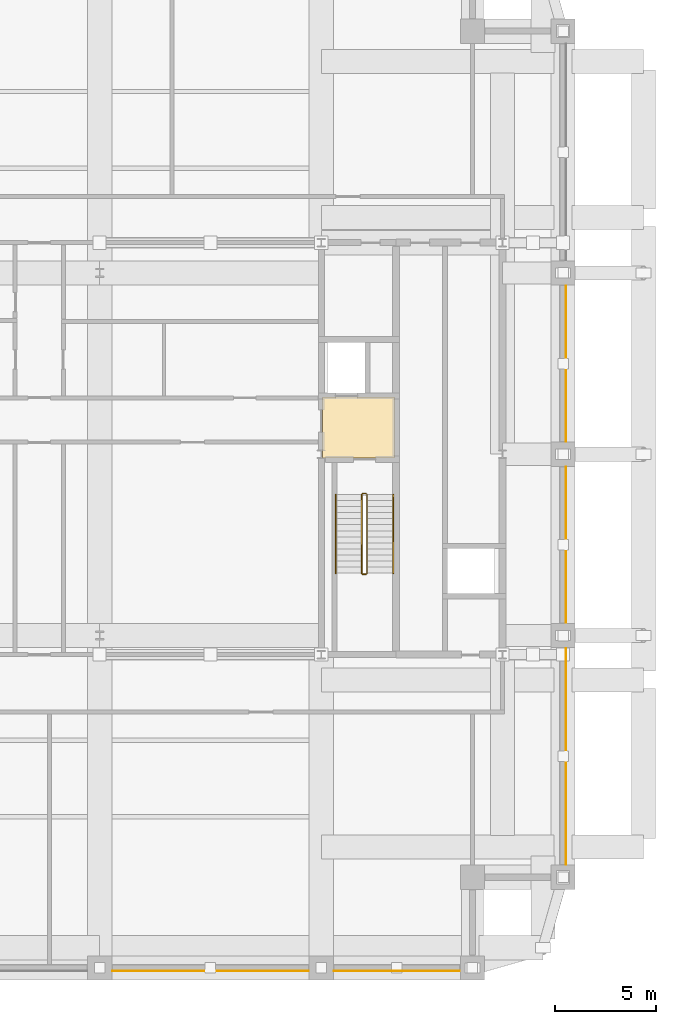
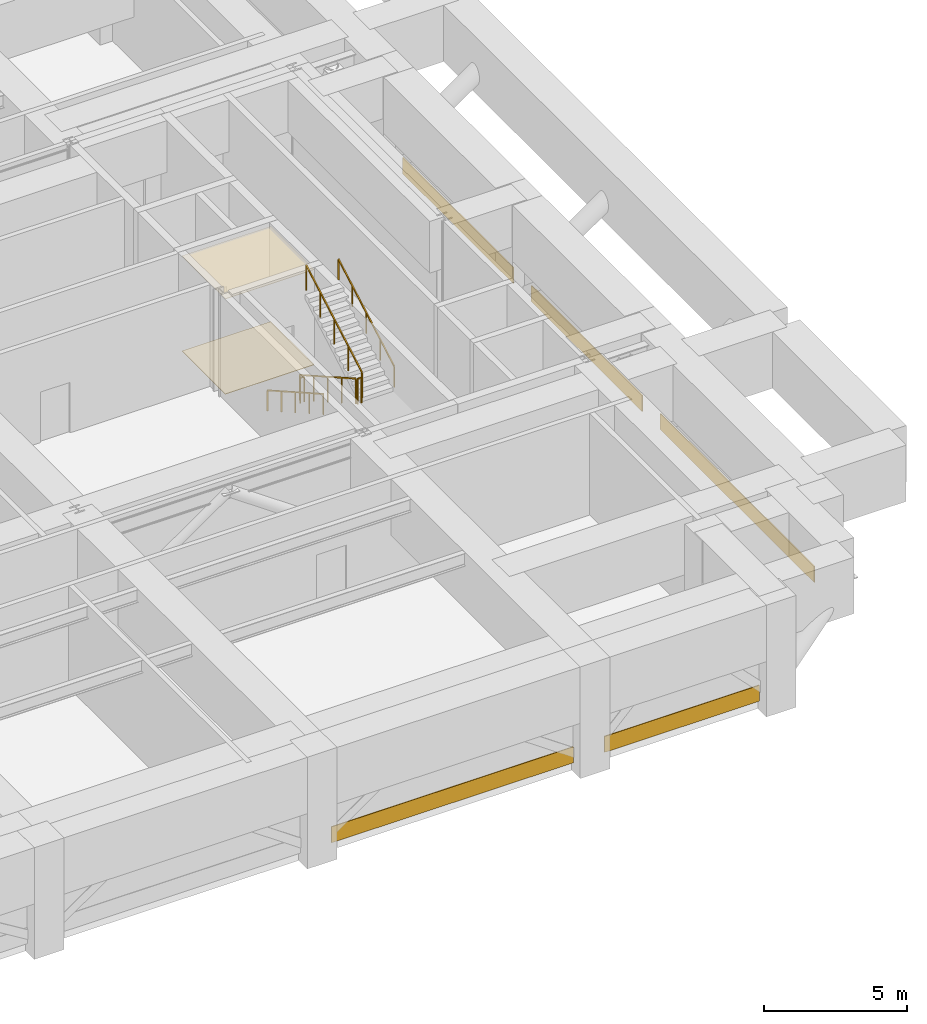
# One storey, part 9 of 10: 7 coverings, 6 railings.
"""IFC4 building model written with IfcOpenShell, lengths in metres."""

from ifc_helpers import new_model, si_unit, direction, frame, frame_2d, origin, origin_2d, place, context, subcontext, project, spatial, polyline, rectangle, outline, extrude, material, layer, layer_set, type_object, element, save


model = new_model("IFC4")

# Units and contexts
model_context = context("Model", 3, precision=1e-05, world=origin(), true_north=direction((0.0, 1.0)))
body_context = subcontext(model_context, "Body", "Model", "MODEL_VIEW")
ifc_project = project(units=[si_unit("LENGTHUNIT", "METRE"), si_unit("AREAUNIT", "SQUARE_METRE"), si_unit("VOLUMEUNIT", "CUBIC_METRE"), si_unit("PLANEANGLEUNIT", "RADIAN"), si_unit("MASSUNIT", "GRAM", prefix="KILO")], contexts=[model_context])

# Site, building, storey
site_placement = place(None, origin())
site = spatial("IfcSite", under=ifc_project, at=site_placement, CompositionType="ELEMENT")
building_placement = place(site_placement, origin())
building = spatial("IfcBuilding", under=site, at=building_placement, Name="Zulmaris Gate Convention Tower", CompositionType="ELEMENT")
storey_placement = place(building_placement, frame((0.0, 0.0, 153.47998046875)))
storey = spatial("IfcBuildingStorey", under=building, at=storey_placement, Name="L39", CompositionType="ELEMENT", Elevation=153.47998046875)

# Coverings
ifc_material_1 = material(Name="Precast concrete C40/50", Category="concrete")
ifc_layer_1 = layer(ifc_material_1, 0.0400390625, Name="Precast concrete C40/50")
ifc_layer_set_1 = layer_set([ifc_layer_1], Name="Precast concrete C40/50")
covering_type_1 = type_object("IfcCoveringType", Name="CLAD-SPANDREL-PRECAST", PredefinedType="CLADDING", material=ifc_layer_set_1)
covering_1_placement = place(storey_placement, frame((0.6298828125, -25.64990234375, 0.0), z_axis=(0.0, 0.0, 1.0), x_axis=(1.0, 0.0, 0.0)))
element("IfcCovering", 1, at=covering_1_placement, inside=storey, type_object=covering_type_1, Name="CLD-L39-S-2_0", PredefinedType="CLADDING", context=body_context, shape_type="SweptSolid", body=[
    extrude(rectangle(XDim=9.740234375, YDim=0.0400390625, at=frame_2d((4.8701171875, 0.0))), origin(), (0.0, 0.0, 1.0), 0.679931640625),
])
covering_2_placement = place(storey_placement, frame((11.6298828125, -25.64990234375, 0.0), z_axis=(0.0, 0.0, 1.0), x_axis=(1.0, 0.0, 0.0)))
element("IfcCovering", 2, at=covering_2_placement, inside=storey, type_object=covering_type_1, Name="CLD-L39-S-3_0", PredefinedType="CLADDING", context=body_context, shape_type="SweptSolid", body=[
    extrude(rectangle(XDim=6.240234375, YDim=0.0400390625, at=frame_2d((3.1201171875, 0.0))), origin(), (0.0, 0.0, 1.0), 0.679931640625),
])
covering_3_placement = place(storey_placement, frame((23.14990234375, -20.3701171875, 0.0), z_axis=(0.0, 0.0, 1.0), x_axis=(0.0, 1.0, 0.0)))
element("IfcCovering", 3, at=covering_3_placement, inside=storey, type_object=covering_type_1, Name="CLD-L39-E-0_0", PredefinedType="CLADDING", context=body_context, shape_type="SweptSolid", body=[
    extrude(rectangle(XDim=10.740234375, YDim=0.0400390625, at=frame_2d((5.3701171875, 0.0))), origin(), (0.0, 0.0, 1.0), 0.679931640625),
])
for number, where, z_axis, x_axis, name in (
    (4, (23.14990234375, -8.3701171875, 0.0), (0.0, 0.0, 1.0), (0.0, 1.0, 0.0), "CLD-L39-E-1_0"),
    (5, (23.14990234375, 0.6298828125, 0.0), (0.0, 0.0, 1.0), (0.0, 1.0, 0.0), "CLD-L39-E-2_0"),
):
    element("IfcCovering", number, at=place(storey_placement, frame(where, z_axis=z_axis, x_axis=x_axis)), inside=storey, type_object=covering_type_1, Name=name, PredefinedType="CLADDING", context=body_context, shape_type="SweptSolid", body=[
        extrude(rectangle(XDim=7.740234375, YDim=0.0400390625, at=frame_2d((3.8701171875, 0.0))), origin(), (0.0, 0.0, 1.0), 0.679931640625),
    ])
ifc_material_2 = material(Name="Mineral Fibre Acoustic Ceiling Tile")
ifc_layer_2 = layer(ifc_material_2, 0.02001953125, Name="Mineral Fibre Acoustic Ceiling Tile")
ifc_layer_set_2 = layer_set([ifc_layer_2], Name="Mineral Fibre Acoustic Ceiling Tile")
covering_type_2 = type_object("IfcCoveringType", Name="CLG-ACOUSTIC-600", PredefinedType="CEILING", material=ifc_layer_set_2)
covering_4_placement = place(storey_placement, frame((0.0, 0.0, 4.0546875)))
element("IfcCovering", 6, at=covering_4_placement, inside=storey, type_object=covering_type_2, Name="CLG-L39-R08", PredefinedType="CEILING", context=body_context, shape_type="SweptSolid", body=[
    extrude(outline(polyline([(11.06005859375, -0.18994140625), (14.639892578125, -0.18994140625), (14.639892578125, 2.840087890625), (11.06005859375, 2.840087890625), (11.06005859375, -0.18994140625)])), origin(), (0.0, 0.0, 1.0), 0.02001953125),
])
ifc_material_3 = material(Name="Woven Acoustic Wool Carpet Tile")
ifc_layer_3 = layer(ifc_material_3, 0.02001953125, Name="Woven Acoustic Wool Carpet Tile")
ifc_layer_set_3 = layer_set([ifc_layer_3], Name="Woven Acoustic Wool Carpet Tile")
covering_type_3 = type_object("IfcCoveringType", Name="FLR-CARPET-12", PredefinedType="FLOORING", material=ifc_layer_set_3)
covering_5_placement = place(storey_placement, origin())
element("IfcCovering", 7, at=covering_5_placement, inside=storey, type_object=covering_type_3, Name="FLR-L39-R08", PredefinedType="FLOORING", context=body_context, shape_type="SweptSolid", body=[
    extrude(outline(polyline([(11.06005859375, -0.18994140625), (14.639892578125, -0.18994140625), (14.639892578125, 2.840087890625), (11.06005859375, 2.840087890625), (11.06005859375, -0.18994140625)])), origin(), (0.0, 0.0, 1.0), 0.02001953125),
])

# Railings
ifc_material_4 = material(Name="Painted Galvanised Steel", Category="steel")
railing_type_1 = type_object("IfcRailingType", Name="RL-STG-1150", PredefinedType="GUARDRAIL", material=ifc_material_4)
railing_1_placement = place(storey_placement, frame((13.010009765625, -2.0, 0.169921875)))
element("IfcRailing", 8, at=railing_1_placement, inside=storey, type_object=railing_type_1, Name="L39 ST-2 stair guard 1", PredefinedType="GUARDRAIL", context=body_context, shape_type="SweptSolid", body=[
    extrude(rectangle(XDim=0.048095703125, YDim=0.048095703125, at=origin_2d()), frame((0.0, 0.0, 1.076171875), z_axis=(0.0, -0.870020628399, 0.493015320412), x_axis=(1.0, 0.0, 0.0)), (0.0, 0.0, 1.0), 4.482421875),
    extrude(rectangle(XDim=0.0419921875, YDim=0.0419921875, at=origin_2d()), origin(), (0.0, 0.0, 1.0), 1.052001953125),
    extrude(rectangle(XDim=0.0419921875, YDim=0.0419921875, at=origin_2d()), frame((0.0, -0.97509765625, 0.552490234375)), (0.0, 0.0, 1.0), 1.052001953125),
    extrude(rectangle(XDim=0.0419921875, YDim=0.0419921875, at=origin_2d()), frame((0.0, -1.949951171875, 1.10498046875)), (0.0, 0.0, 1.0), 1.052001953125),
    extrude(rectangle(XDim=0.0419921875, YDim=0.0419921875, at=origin_2d()), frame((0.0, -2.9248046875, 1.657470703125)), (0.0, 0.0, 1.0), 1.052001953125),
    extrude(rectangle(XDim=0.0419921875, YDim=0.0419921875, at=origin_2d()), frame((0.0, -3.89990234375, 2.2099609375)), (0.0, 0.0, 1.0), 1.052001953125),
])
railing_2_placement = place(storey_placement, frame((13.06005859375, -5.949951171875, 2.3798828125)))
element("IfcRailing", 9, at=railing_2_placement, inside=storey, type_object=railing_type_1, Name="L39 ST-2 stair guard 2", PredefinedType="GUARDRAIL", context=body_context, shape_type="SweptSolid", body=[
    extrude(rectangle(XDim=0.048095703125, YDim=0.048095703125, at=origin_2d()), frame((0.0, 0.0, 1.076171875), z_axis=(1.0, 0.0, 0.0), x_axis=(0.0, 1.0, 0.0)), (0.0, 0.0, 1.0), 0.159912109375),
    extrude(rectangle(XDim=0.0419921875, YDim=0.0419921875, at=origin_2d()), origin(), (0.0, 0.0, 1.0), 1.052001953125),
    extrude(rectangle(XDim=0.0419921875, YDim=0.0419921875, at=origin_2d()), frame((0.159912109375, 0.0, 0.0)), (0.0, 0.0, 1.0), 1.052001953125),
])
railing_3_placement = place(storey_placement, frame((13.27001953125, -5.89990234375, 2.5498046875)))
element("IfcRailing", 10, at=railing_3_placement, inside=storey, type_object=railing_type_1, Name="L39 ST-2 stair guard 3", PredefinedType="GUARDRAIL", context=body_context, shape_type="SweptSolid", body=[
    extrude(rectangle(XDim=0.048095703125, YDim=0.048095703125, at=origin_2d()), frame((0.0, 0.0, 1.076171875), z_axis=(0.0, 0.870020628399, 0.493015320412), x_axis=(-1.0, 0.0, 0.0)), (0.0, 0.0, 1.0), 4.482421875),
    extrude(rectangle(XDim=0.0419921875, YDim=0.0419921875, at=origin_2d()), origin(), (0.0, 0.0, 1.0), 1.052001953125),
    extrude(rectangle(XDim=0.0419921875, YDim=0.0419921875, at=origin_2d()), frame((0.0, 0.97509765625, 0.552490234375)), (0.0, 0.0, 1.0), 1.052001953125),
    extrude(rectangle(XDim=0.0419921875, YDim=0.0419921875, at=origin_2d()), frame((0.0, 1.949951171875, 1.10498046875)), (0.0, 0.0, 1.0), 1.052001953125),
    extrude(rectangle(XDim=0.0419921875, YDim=0.0419921875, at=origin_2d()), frame((0.0, 2.9248046875, 1.657470703125)), (0.0, 0.0, 1.0), 1.052001953125),
    extrude(rectangle(XDim=0.0419921875, YDim=0.0419921875, at=origin_2d()), frame((0.0, 3.89990234375, 2.2099609375)), (0.0, 0.0, 1.0), 1.052001953125),
])
railing_4_placement = place(storey_placement, frame((13.06005859375, -1.949951171875, 0.0)))
element("IfcRailing", 11, at=railing_4_placement, inside=storey, type_object=railing_type_1, Name="L39 ST-2 stair guard 4", PredefinedType="GUARDRAIL", context=body_context, shape_type="SweptSolid", body=[
    extrude(rectangle(XDim=0.048095703125, YDim=0.048095703125, at=origin_2d()), frame((0.0, 0.0, 1.076171875), z_axis=(1.0, 0.0, 0.0), x_axis=(0.0, 1.0, 0.0)), (0.0, 0.0, 1.0), 0.159912109375),
    extrude(rectangle(XDim=0.0419921875, YDim=0.0419921875, at=origin_2d()), origin(), (0.0, 0.0, 1.0), 1.052001953125),
    extrude(rectangle(XDim=0.0419921875, YDim=0.0419921875, at=origin_2d()), frame((0.159912109375, 0.0, 0.0)), (0.0, 0.0, 1.0), 1.052001953125),
])
ifc_material_5 = material(Name="Brushed Stainless Steel", Category="steel")
railing_type_2 = type_object("IfcRailingType", Name="RL-STH-900", PredefinedType="HANDRAIL", material=ifc_material_5)
railing_5_placement = place(storey_placement, frame((11.7099609375, -2.0, 0.169921875)))
element("IfcRailing", 12, at=railing_5_placement, inside=storey, type_object=railing_type_2, Name="L39 ST-2 stair handrail 1", PredefinedType="HANDRAIL", context=body_context, shape_type="SweptSolid", body=[
    extrude(rectangle(XDim=0.048095703125, YDim=0.048095703125, at=origin_2d()), frame((0.0, 0.0, 0.8759765625), z_axis=(0.0, -0.870020628399, 0.493015320412), x_axis=(1.0, 0.0, 0.0)), (0.0, 0.0, 1.0), 4.482421875),
    extrude(rectangle(XDim=0.0419921875, YDim=0.0419921875, at=origin_2d()), origin(), (0.0, 0.0, 1.0), 0.851806640625),
    extrude(rectangle(XDim=0.0419921875, YDim=0.0419921875, at=origin_2d()), frame((0.0, -0.97509765625, 0.552490234375)), (0.0, 0.0, 1.0), 0.851806640625),
    extrude(rectangle(XDim=0.0419921875, YDim=0.0419921875, at=origin_2d()), frame((0.0, -1.949951171875, 1.10498046875)), (0.0, 0.0, 1.0), 0.851806640625),
    extrude(rectangle(XDim=0.0419921875, YDim=0.0419921875, at=origin_2d()), frame((0.0, -2.9248046875, 1.657470703125)), (0.0, 0.0, 1.0), 0.851806640625),
    extrude(rectangle(XDim=0.0419921875, YDim=0.0419921875, at=origin_2d()), frame((0.0, -3.89990234375, 2.2099609375)), (0.0, 0.0, 1.0), 0.851806640625),
])
railing_6_placement = place(storey_placement, frame((14.570068359375, -5.89990234375, 2.5498046875)))
element("IfcRailing", 13, at=railing_6_placement, inside=storey, type_object=railing_type_2, Name="L39 ST-2 stair handrail 2", PredefinedType="HANDRAIL", context=body_context, shape_type="SweptSolid", body=[
    extrude(rectangle(XDim=0.048095703125, YDim=0.048095703125, at=origin_2d()), frame((0.0, 0.0, 0.8759765625), z_axis=(0.0, 0.870020628399, 0.493015320412), x_axis=(-1.0, 0.0, 0.0)), (0.0, 0.0, 1.0), 4.482421875),
    extrude(rectangle(XDim=0.0419921875, YDim=0.0419921875, at=origin_2d()), origin(), (0.0, 0.0, 1.0), 0.851806640625),
    extrude(rectangle(XDim=0.0419921875, YDim=0.0419921875, at=origin_2d()), frame((0.0, 0.97509765625, 0.552490234375)), (0.0, 0.0, 1.0), 0.851806640625),
    extrude(rectangle(XDim=0.0419921875, YDim=0.0419921875, at=origin_2d()), frame((0.0, 1.949951171875, 1.10498046875)), (0.0, 0.0, 1.0), 0.851806640625),
    extrude(rectangle(XDim=0.0419921875, YDim=0.0419921875, at=origin_2d()), frame((0.0, 2.9248046875, 1.657470703125)), (0.0, 0.0, 1.0), 0.851806640625),
    extrude(rectangle(XDim=0.0419921875, YDim=0.0419921875, at=origin_2d()), frame((0.0, 3.89990234375, 2.2099609375)), (0.0, 0.0, 1.0), 0.851806640625),
])

save(model, "model.ifc")
